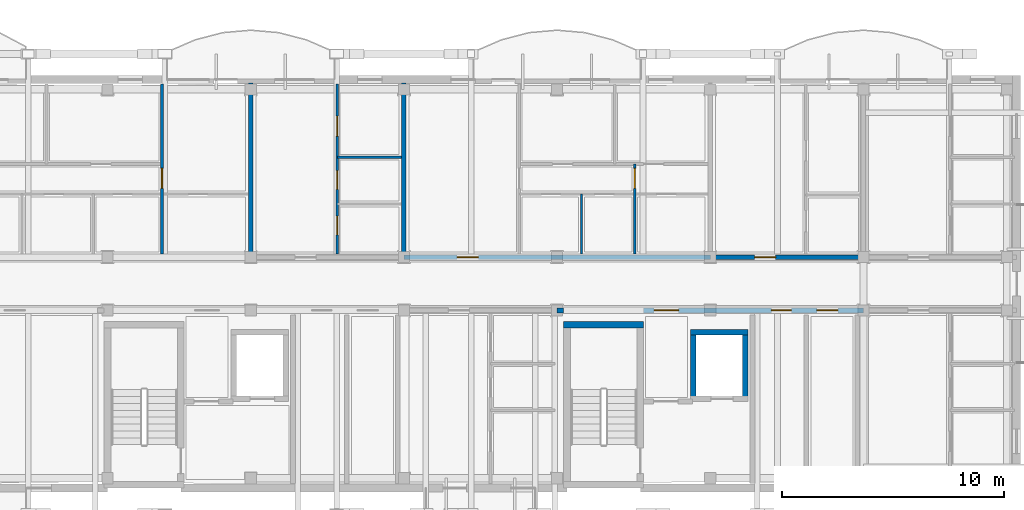
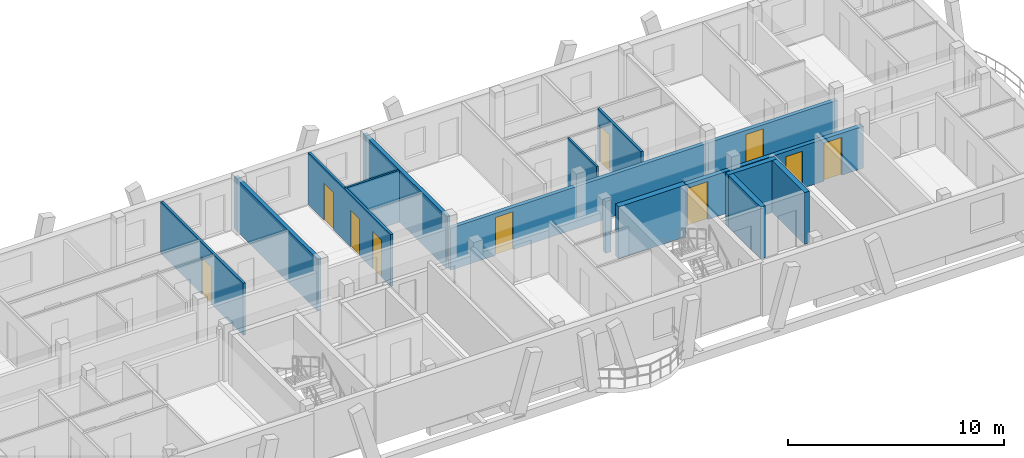
# One storey, part 83 of 109: 15 walls, 10 doors, 10 openings.
"""IFC4 building model written with IfcOpenShell, lengths in metres."""

from ifc_helpers import new_model, si_unit, direction, frame, frame_2d, origin, origin_with_axes, place, context, subcontext, project, spatial, rectangle, extrude, material, layer, layer_set, type_object, element, fill, save


model = new_model("IFC4")

# Units and contexts
model_context = context("Model", 3, precision=1e-05, world=origin(), true_north=direction((0.0, 1.0)))
body_context = subcontext(model_context, "Body", "Model", "MODEL_VIEW")
ifc_project = project(units=[si_unit("LENGTHUNIT", "METRE"), si_unit("AREAUNIT", "SQUARE_METRE"), si_unit("VOLUMEUNIT", "CUBIC_METRE"), si_unit("PLANEANGLEUNIT", "RADIAN"), si_unit("MASSUNIT", "GRAM", prefix="KILO")], contexts=[model_context])

# Site, building, storey
site_placement = place(None, origin())
site = spatial("IfcSite", under=ifc_project, at=site_placement, CompositionType="ELEMENT")
building_placement = place(site_placement, origin())
building = spatial("IfcBuilding", under=site, at=building_placement, Name="Zavelmont Quarter", CompositionType="ELEMENT")
storey_placement = place(building_placement, frame((0.0, 0.0, 8.0)))
storey = spatial("IfcBuildingStorey", under=building, at=storey_placement, Name="L02", CompositionType="ELEMENT", Elevation=8.0)

# Walls
ifc_material_1 = material(Name="Calcium-silicate blockwork and acoustic plaster", Category="masonry")
ifc_layer_1 = layer(ifc_material_1, 0.199951171875)
ifc_layer_set_1 = layer_set([ifc_layer_1], Name="Calcium-silicate blockwork and acoustic plaster")
wall_type_1 = type_object("IfcWallType", Name="IW01", PredefinedType="PARTITIONING", material=ifc_layer_set_1)
for number, where, z_axis, x_axis, name in (
    (1, (133.5, 108.14990234375, 0.0), (0.0, 0.0, 1.0), (0.0, 1.0, 0.0), "L02 Inter-dwelling compartment wall IW01"),
    (2, (140.39990234375, 108.14990234375, 0.0), (0.0, 0.0, 1.0), (0.0, 1.0, 0.0), "L02 Inter-dwelling compartment wall IW01"),
):
    element("IfcWall", number, at=place(storey_placement, frame(where, z_axis=z_axis, x_axis=x_axis)), inside=storey, type_object=wall_type_1, Name=name, PredefinedType="PARTITIONING", context=body_context, shape_type="SweptSolid", body=[
        extrude(rectangle(XDim=7.7001953125, YDim=0.199951171875, at=frame_2d((3.85009765625, 0.0))), origin(), (0.0, 0.0, 1.0), 2.93994140625),
    ])

# Wall, opening, door
wall_1_placement = place(storey_placement, frame((140.39990234375, 108.0, 0.0), z_axis=(0.0, 0.0, 1.0), x_axis=(1.0, 0.0, 0.0)))
wall_1 = element("IfcWall", 3, at=wall_1_placement, inside=storey, type_object=wall_type_1, Name="L02 Corridor compartment wall IW01", PredefinedType="PARTITIONING", context=body_context, shape_type="SweptSolid", body=[
    extrude(rectangle(XDim=13.800048828125, YDim=0.199951171875, at=frame_2d((6.89990234375, 0.0))), origin(), (0.0, 0.0, 1.0), 2.3798828125),
])
opening_1_placement = place(wall_1_placement, frame((2.39990234375, 0.0, 0.0)))
opening_1 = element("IfcOpeningElement", 4, at=opening_1_placement, cuts=wall_1, Name="Opening DR02", PredefinedType="OPENING", context=body_context, shape_type="SweptSolid", body=[
    extrude(rectangle(XDim=0.949951171875, YDim=2.14990234375, at=frame_2d((0.47509765625, 1.074951171875))), frame((0.0, 0.11181640625, 0.0), z_axis=(0.0, -1.0, 0.0), x_axis=(1.0, 0.0, 0.0)), (0.0, 0.0, 1.0), 0.223876953125),
])
ifc_material_2 = material(Name="Solid-core oak fire leaf in steel frame", Category="steel")
door_type_1 = type_object("IfcDoorType", Name="DR02", OperationType="NOTDEFINED", PredefinedType="DOOR", material=ifc_material_2)
door_1_placement = place(opening_1_placement, origin_with_axes())
door_1 = element("IfcDoor", 5, at=door_1_placement, inside=storey, type_object=door_type_1, Name="L02 door DR02", OperationType="SINGLE_SWING_RIGHT", OverallHeight=2.14990234375, OverallWidth=0.949951171875, PredefinedType="DOOR", context=body_context, shape_type="SweptSolid", body=[
    extrude(rectangle(XDim=0.949951171875, YDim=2.14990234375, at=frame_2d((0.47509765625, 1.074951171875))), frame((0.0, 0.02490234375, 0.0), z_axis=(0.0, -1.0, 0.0), x_axis=(1.0, 0.0, 0.0)), (0.0, 0.0, 1.0), 0.050048828125),
])
fill(opening_1, door_1)

wall_2_placement = place(storey_placement, frame((154.199951171875, 108.0, 0.0), z_axis=(0.0, 0.0, 1.0), x_axis=(1.0, 0.0, 0.0)))
wall_2 = element("IfcWall", 6, at=wall_2_placement, inside=storey, type_object=wall_type_1, Name="L02 Corridor compartment wall IW01", PredefinedType="PARTITIONING", context=body_context, shape_type="SweptSolid", body=[
    extrude(rectangle(XDim=6.900146484375, YDim=0.199951171875, at=frame_2d((3.4501953125, 0.0))), origin(), (0.0, 0.0, 1.0), 2.3798828125),
])
opening_2_placement = place(wall_2_placement, frame((2.0, 0.0, 0.0)))
opening_2 = element("IfcOpeningElement", 7, at=opening_2_placement, cuts=wall_2, Name="Opening DR02", PredefinedType="OPENING", context=body_context, shape_type="SweptSolid", body=[
    extrude(rectangle(XDim=0.949951171875, YDim=2.14990234375, at=frame_2d((0.47509765625, 1.074951171875))), frame((0.0, 0.11181640625, 0.0), z_axis=(0.0, -1.0, 0.0), x_axis=(1.0, 0.0, 0.0)), (0.0, 0.0, 1.0), 0.223876953125),
])
door_2_placement = place(opening_2_placement, origin_with_axes())
door_2 = element("IfcDoor", 8, at=door_2_placement, inside=storey, type_object=door_type_1, Name="L02 door DR02", OperationType="SINGLE_SWING_LEFT", OverallHeight=2.14990234375, OverallWidth=0.949951171875, PredefinedType="DOOR", context=body_context, shape_type="SweptSolid", body=[
    extrude(rectangle(XDim=0.949951171875, YDim=2.14990234375, at=frame_2d((0.47509765625, 1.074951171875))), frame((0.0, 0.02490234375, 0.0), z_axis=(0.0, -1.0, 0.0), x_axis=(1.0, 0.0, 0.0)), (0.0, 0.0, 1.0), 0.050048828125),
])
fill(opening_2, door_2)

# Wall
ifc_material_3 = material(Name="Reinforced masonry fire compartment wall", Category="masonry")
ifc_layer_2 = layer(ifc_material_3, 0.22509765625)
ifc_layer_set_2 = layer_set([ifc_layer_2], Name="Reinforced masonry fire compartment wall")
wall_type_2 = type_object("IfcWallType", Name="IW02", PredefinedType="PARTITIONING", material=ifc_layer_set_2)
wall_3_placement = place(storey_placement, frame((147.300048828125, 105.60009765625, 0.0), z_axis=(0.0, 0.0, 1.0), x_axis=(1.0, 0.0, 0.0)))
element("IfcWall", 9, at=wall_3_placement, inside=storey, type_object=wall_type_2, Name="L02 Core corridor wall IW02", PredefinedType="PARTITIONING", context=body_context, shape_type="SweptSolid", body=[
    extrude(rectangle(XDim=0.300048828125, YDim=0.22509765625, at=frame_2d((0.14990234375, 0.0))), origin(), (0.0, 0.0, 1.0), 2.93994140625),
])

# Wall, openings, doors
wall_4_placement = place(storey_placement, frame((151.199951171875, 105.60009765625, 0.0), z_axis=(0.0, 0.0, 1.0), x_axis=(1.0, 0.0, 0.0)))
wall_4 = element("IfcWall", 10, at=wall_4_placement, inside=storey, type_object=wall_type_2, Name="L02 Core corridor fire wall IW02", PredefinedType="PARTITIONING", context=body_context, shape_type="SweptSolid", body=[
    extrude(rectangle(XDim=9.900146484375, YDim=0.22509765625, at=frame_2d((4.9501953125, 0.0))), origin(), (0.0, 0.0, 1.0), 2.3798828125),
])
opening_3_placement = place(wall_4_placement, frame((0.47509765625, 0.0, 0.0)))
opening_3 = element("IfcOpeningElement", 11, at=opening_3_placement, cuts=wall_4, Name="Opening DR10", PredefinedType="OPENING", context=body_context, shape_type="SweptSolid", body=[
    extrude(rectangle(XDim=1.10009765625, YDim=2.14990234375, at=frame_2d((0.550048828125, 1.074951171875))), frame((0.0, 0.12451171875, 0.0), z_axis=(0.0, -1.0, 0.0), x_axis=(1.0, 0.0, 0.0)), (0.0, 0.0, 1.0), 0.2490234375),
])
opening_4_placement = place(wall_4_placement, frame((5.75, 0.0, 0.0)))
opening_4 = element("IfcOpeningElement", 12, at=opening_4_placement, cuts=wall_4, Name="Opening DR11", PredefinedType="OPENING", context=body_context, shape_type="SweptSolid", body=[
    extrude(rectangle(XDim=0.89990234375, YDim=2.10009765625, at=frame_2d((0.449951171875, 1.050048828125))), frame((0.0, 0.12451171875, 0.0), z_axis=(0.0, -1.0, 0.0), x_axis=(1.0, 0.0, 0.0)), (0.0, 0.0, 1.0), 0.2490234375),
])
opening_5_placement = place(wall_4_placement, frame((7.800048828125, 0.0, 0.0)))
opening_5 = element("IfcOpeningElement", 13, at=opening_5_placement, cuts=wall_4, Name="Opening DR02", PredefinedType="OPENING", context=body_context, shape_type="SweptSolid", body=[
    extrude(rectangle(XDim=0.949951171875, YDim=2.14990234375, at=frame_2d((0.47509765625, 1.074951171875))), frame((0.0, 0.12451171875, 0.0), z_axis=(0.0, -1.0, 0.0), x_axis=(1.0, 0.0, 0.0)), (0.0, 0.0, 1.0), 0.2490234375),
])
door_3_placement = place(opening_5_placement, origin_with_axes())
door_3 = element("IfcDoor", 14, at=door_3_placement, inside=storey, type_object=door_type_1, Name="Auxiliary store corridor door", OperationType="SINGLE_SWING_RIGHT", OverallHeight=2.14990234375, OverallWidth=0.949951171875, PredefinedType="DOOR", context=body_context, shape_type="SweptSolid", body=[
    extrude(rectangle(XDim=0.949951171875, YDim=2.14990234375, at=frame_2d((0.47509765625, 1.074951171875))), frame((0.0, 0.02490234375, 0.0), z_axis=(0.0, -1.0, 0.0), x_axis=(1.0, 0.0, 0.0)), (0.0, 0.0, 1.0), 0.050048828125),
])
fill(opening_5, door_3)
ifc_material_4 = material(Name="Painted steel lobby fire door", Category="steel")
door_type_2 = type_object("IfcDoorType", Name="DR10", OperationType="NOTDEFINED", PredefinedType="DOOR", material=ifc_material_4)
door_4_placement = place(opening_3_placement, frame((1.10009765625, 0.0, 0.0), z_axis=(0.0, 0.0, 1.0), x_axis=(-1.0, 0.0, 0.0)))
door_4 = element("IfcDoor", 15, at=door_4_placement, inside=storey, type_object=door_type_2, Name="Core vestibule fire door", OperationType="SINGLE_SWING_RIGHT", OverallHeight=2.14990234375, OverallWidth=1.10009765625, PredefinedType="DOOR", context=body_context, shape_type="SweptSolid", body=[
    extrude(rectangle(XDim=1.10009765625, YDim=2.14990234375, at=frame_2d((0.550048828125, 1.074951171875))), frame((0.0, 0.02490234375, 0.0), z_axis=(0.0, -1.0, 0.0), x_axis=(1.0, 0.0, 0.0)), (0.0, 0.0, 1.0), 0.050048828125),
])
fill(opening_3, door_4)
ifc_material_5 = material(Name="Painted steel service-riser fire door", Category="steel")
door_type_3 = type_object("IfcDoorType", Name="DR11", OperationType="NOTDEFINED", PredefinedType="DOOR", material=ifc_material_5)
door_5_placement = place(opening_4_placement, origin_with_axes())
door_5 = element("IfcDoor", 16, at=door_5_placement, inside=storey, type_object=door_type_3, Name="Service riser fire door", OperationType="SINGLE_SWING_LEFT", OverallHeight=2.10009765625, OverallWidth=0.89990234375, PredefinedType="DOOR", context=body_context, shape_type="SweptSolid", body=[
    extrude(rectangle(XDim=0.89990234375, YDim=2.10009765625, at=frame_2d((0.449951171875, 1.050048828125))), frame((0.0, 0.02490234375, 0.0), z_axis=(0.0, -1.0, 0.0), x_axis=(1.0, 0.0, 0.0)), (0.0, 0.0, 1.0), 0.050048828125),
])
fill(opening_4, door_5)

# Wall, opening, door
ifc_material_6 = material(Name="Double gypsum board on acoustic steel stud", Category="steel")
ifc_layer_3 = layer(ifc_material_6, 0.125)
ifc_layer_set_3 = layer_set([ifc_layer_3], Name="Double gypsum board on acoustic steel stud")
wall_type_3 = type_object("IfcWallType", Name="IW03", PredefinedType="PARTITIONING", material=ifc_layer_set_3)
wall_5_placement = place(storey_placement, frame((129.5, 108.14990234375, 0.0), z_axis=(0.0, 0.0, 1.0), x_axis=(0.0, 1.0, 0.0)))
wall_5 = element("IfcWall", 17, at=wall_5_placement, inside=storey, type_object=wall_type_3, Name="L02 Partition IW03", PredefinedType="PARTITIONING", context=body_context, shape_type="SweptSolid", body=[
    extrude(rectangle(XDim=7.650146484375, YDim=0.125, at=frame_2d((3.8251953125, 0.0))), origin(), (0.0, 0.0, 1.0), 2.93994140625),
])
opening_6_placement = place(wall_5_placement, frame((2.949951171875, 0.0, 0.0)))
opening_6 = element("IfcOpeningElement", 18, at=opening_6_placement, cuts=wall_5, Name="Opening DR05", PredefinedType="OPENING", context=body_context, shape_type="SweptSolid", body=[
    extrude(rectangle(XDim=0.89990234375, YDim=2.10009765625, at=frame_2d((0.449951171875, 1.050048828125))), frame((0.0, 0.074462890625, 0.0), z_axis=(0.0, -1.0, 0.0), x_axis=(1.0, 0.0, 0.0)), (0.0, 0.0, 1.0), 0.14892578125),
])
ifc_material_7 = material(Name="Engineered oak flush interior door")
door_type_4 = type_object("IfcDoorType", Name="DR05", OperationType="NOTDEFINED", PredefinedType="DOOR", material=ifc_material_7)
door_6_placement = place(opening_6_placement, frame((0.89990234375, 0.0, 0.0), z_axis=(0.0, 0.0, 1.0), x_axis=(-1.0, 0.0, 0.0)))
door_6 = element("IfcDoor", 19, at=door_6_placement, inside=storey, type_object=door_type_4, Name="L02 door DR05", OperationType="SINGLE_SWING_RIGHT", OverallHeight=2.10009765625, OverallWidth=0.89990234375, PredefinedType="DOOR", context=body_context, shape_type="SweptSolid", body=[
    extrude(rectangle(XDim=0.89990234375, YDim=2.10009765625, at=frame_2d((0.449951171875, 1.050048828125))), frame((0.0, 0.02490234375, 0.0), z_axis=(0.0, -1.0, 0.0), x_axis=(1.0, 0.0, 0.0)), (0.0, 0.0, 1.0), 0.050048828125),
])
fill(opening_6, door_6)

# Wall, openings, doors
wall_6_placement = place(storey_placement, frame((137.39990234375, 108.14990234375, 0.0), z_axis=(0.0, 0.0, 1.0), x_axis=(0.0, 1.0, 0.0)))
wall_6 = element("IfcWall", 20, at=wall_6_placement, inside=storey, type_object=wall_type_3, Name="L02 Partition IW03", PredefinedType="PARTITIONING", context=body_context, shape_type="SweptSolid", body=[
    extrude(rectangle(XDim=7.650146484375, YDim=0.125, at=frame_2d((3.8251953125, 0.0))), origin(), (0.0, 0.0, 1.0), 2.93994140625),
])
opening_7_placement = place(wall_6_placement, frame((0.85009765625, 0.0, 0.0)))
opening_7 = element("IfcOpeningElement", 21, at=opening_7_placement, cuts=wall_6, Name="Opening DR16", PredefinedType="OPENING", context=body_context, shape_type="SweptSolid", body=[
    extrude(rectangle(XDim=0.85009765625, YDim=2.10009765625, at=frame_2d((0.425048828125, 1.050048828125))), frame((0.0, 0.074462890625, 0.0), z_axis=(0.0, -1.0, 0.0), x_axis=(1.0, 0.0, 0.0)), (0.0, 0.0, 1.0), 0.14892578125),
])
opening_8_placement = place(wall_6_placement, frame((2.89990234375, 0.0, 0.0)))
opening_8 = element("IfcOpeningElement", 22, at=opening_8_placement, cuts=wall_6, Name="Opening DR06", PredefinedType="OPENING", context=body_context, shape_type="SweptSolid", body=[
    extrude(rectangle(XDim=0.85009765625, YDim=2.050048828125, at=frame_2d((0.425048828125, 1.02490234375))), frame((0.0, 0.074462890625, 0.0), z_axis=(0.0, -1.0, 0.0), x_axis=(1.0, 0.0, 0.0)), (0.0, 0.0, 1.0), 0.14892578125),
])
opening_9_placement = place(wall_6_placement, frame((5.300048828125, 0.0, 0.0)))
opening_9 = element("IfcOpeningElement", 23, at=opening_9_placement, cuts=wall_6, Name="Opening DR05", PredefinedType="OPENING", context=body_context, shape_type="SweptSolid", body=[
    extrude(rectangle(XDim=0.89990234375, YDim=2.10009765625, at=frame_2d((0.449951171875, 1.050048828125))), frame((0.0, 0.074462890625, 0.0), z_axis=(0.0, -1.0, 0.0), x_axis=(1.0, 0.0, 0.0)), (0.0, 0.0, 1.0), 0.14892578125),
])
door_7_placement = place(opening_9_placement, frame((0.89990234375, 0.0, 0.0), z_axis=(0.0, 0.0, 1.0), x_axis=(-1.0, 0.0, 0.0)))
door_7 = element("IfcDoor", 24, at=door_7_placement, inside=storey, type_object=door_type_4, Name="L02 door DR05", OperationType="SINGLE_SWING_LEFT", OverallHeight=2.10009765625, OverallWidth=0.89990234375, PredefinedType="DOOR", context=body_context, shape_type="SweptSolid", body=[
    extrude(rectangle(XDim=0.89990234375, YDim=2.10009765625, at=frame_2d((0.449951171875, 1.050048828125))), frame((0.0, 0.02490234375, 0.0), z_axis=(0.0, -1.0, 0.0), x_axis=(1.0, 0.0, 0.0)), (0.0, 0.0, 1.0), 0.050048828125),
])
fill(opening_9, door_7)
ifc_material_8 = material(Name="Moisture-resistant painted wet-room door")
door_type_5 = type_object("IfcDoorType", Name="DR06", OperationType="NOTDEFINED", PredefinedType="DOOR", material=ifc_material_8)
door_8_placement = place(opening_8_placement, origin_with_axes())
door_8 = element("IfcDoor", 25, at=door_8_placement, inside=storey, type_object=door_type_5, Name="L02 door DR06", OperationType="SINGLE_SWING_RIGHT", OverallHeight=2.050048828125, OverallWidth=0.85009765625, PredefinedType="DOOR", context=body_context, shape_type="SweptSolid", body=[
    extrude(rectangle(XDim=0.85009765625, YDim=2.050048828125, at=frame_2d((0.425048828125, 1.02490234375))), frame((0.0, 0.02490234375, 0.0), z_axis=(0.0, -1.0, 0.0), x_axis=(1.0, 0.0, 0.0)), (0.0, 0.0, 1.0), 0.050048828125),
])
fill(opening_8, door_8)
door_type_6 = type_object("IfcDoorType", Name="DR16", OperationType="NOTDEFINED", PredefinedType="DOOR", material=ifc_material_7)
door_9_placement = place(opening_7_placement, frame((0.85009765625, 0.0, 0.0), z_axis=(0.0, 0.0, 1.0), x_axis=(-1.0, 0.0, 0.0)))
door_9 = element("IfcDoor", 26, at=door_9_placement, inside=storey, type_object=door_type_6, Name="L02 door DR16", OperationType="SINGLE_SWING_LEFT", OverallHeight=2.10009765625, OverallWidth=0.85009765625, PredefinedType="DOOR", context=body_context, shape_type="SweptSolid", body=[
    extrude(rectangle(XDim=0.85009765625, YDim=2.10009765625, at=frame_2d((0.425048828125, 1.050048828125))), frame((0.0, 0.02490234375, 0.0), z_axis=(0.0, -1.0, 0.0), x_axis=(1.0, 0.0, 0.0)), (0.0, 0.0, 1.0), 0.050048828125),
])
fill(opening_7, door_9)

# Wall, opening, door
wall_7_placement = place(storey_placement, frame((150.800048828125, 108.14990234375, 0.0), z_axis=(0.0, 0.0, 1.0), x_axis=(0.0, 1.0, 0.0)))
wall_7 = element("IfcWall", 27, at=wall_7_placement, inside=storey, type_object=wall_type_3, Name="L02 Partition IW03", PredefinedType="PARTITIONING", context=body_context, shape_type="SweptSolid", body=[
    extrude(rectangle(XDim=4.050048828125, YDim=0.125, at=frame_2d((2.02490234375, 0.0))), origin(), (0.0, 0.0, 1.0), 2.93994140625),
])
opening_10_placement = place(wall_7_placement, frame((2.949951171875, 0.0, 0.0)))
opening_10 = element("IfcOpeningElement", 28, at=opening_10_placement, cuts=wall_7, Name="Opening DR05", PredefinedType="OPENING", context=body_context, shape_type="SweptSolid", body=[
    extrude(rectangle(XDim=0.89990234375, YDim=2.10009765625, at=frame_2d((0.449951171875, 1.050048828125))), frame((0.0, 0.074462890625, 0.0), z_axis=(0.0, -1.0, 0.0), x_axis=(1.0, 0.0, 0.0)), (0.0, 0.0, 1.0), 0.14892578125),
])
door_10_placement = place(opening_10_placement, origin_with_axes())
door_10 = element("IfcDoor", 29, at=door_10_placement, inside=storey, type_object=door_type_4, Name="L02 door DR05", OperationType="SINGLE_SWING_LEFT", OverallHeight=2.10009765625, OverallWidth=0.89990234375, PredefinedType="DOOR", context=body_context, shape_type="SweptSolid", body=[
    extrude(rectangle(XDim=0.89990234375, YDim=2.10009765625, at=frame_2d((0.449951171875, 1.050048828125))), frame((0.0, 0.02490234375, 0.0), z_axis=(0.0, -1.0, 0.0), x_axis=(1.0, 0.0, 0.0)), (0.0, 0.0, 1.0), 0.050048828125),
])
fill(opening_10, door_10)

# Walls
ifc_material_9 = material(Name="Moisture-resistant gypsum board on steel stud", Category="steel")
ifc_layer_4 = layer(ifc_material_9, 0.10009765625)
ifc_layer_set_4 = layer_set([ifc_layer_4], Name="Moisture-resistant gypsum board on steel stud")
wall_type_4 = type_object("IfcWallType", Name="IW04", PredefinedType="PARTITIONING", material=ifc_layer_set_4)
wall_8_placement = place(storey_placement, frame((137.39990234375, 112.5, 0.0), z_axis=(0.0, 0.0, 1.0), x_axis=(1.0, 0.0, 0.0)))
element("IfcWall", 30, at=wall_8_placement, inside=storey, type_object=wall_type_4, Name="L02 Partition IW04", PredefinedType="PARTITIONING", context=body_context, shape_type="SweptSolid", body=[
    extrude(rectangle(XDim=2.900146484375, YDim=0.10009765625, at=frame_2d((1.4501953125, 0.0))), origin(), (0.0, 0.0, 1.0), 2.93994140625),
])
wall_9_placement = place(storey_placement, frame((148.39990234375, 108.14990234375, 0.0), z_axis=(0.0, 0.0, 1.0), x_axis=(0.0, 1.0, 0.0)))
element("IfcWall", 31, at=wall_9_placement, inside=storey, type_object=wall_type_4, Name="L02 Partition IW04", PredefinedType="PARTITIONING", context=body_context, shape_type="SweptSolid", body=[
    extrude(rectangle(XDim=2.7001953125, YDim=0.10009765625, at=frame_2d((1.35009765625, 0.0))), origin(), (0.0, 0.0, 1.0), 2.93994140625),
])
ifc_material_10 = material(Name="Concrete C40/50", Category="concrete")
ifc_layer_5 = layer(ifc_material_10, 0.300048828125)
ifc_layer_set_5 = layer_set([ifc_layer_5], Name="Concrete C40/50")
wall_type_5 = type_object("IfcWallType", Name="SW01", PredefinedType="SHEAR", material=ifc_layer_set_5)
wall_10_placement = place(storey_placement, frame((147.60009765625, 104.949951171875, 0.0), z_axis=(0.0, 0.0, 1.0), x_axis=(1.0, 0.0, 0.0)))
element("IfcWall", 32, at=wall_10_placement, inside=storey, type_object=wall_type_5, Name="L02 ST06 corridor shear wall SW01", PredefinedType="SHEAR", context=body_context, shape_type="SweptSolid", body=[
    extrude(rectangle(XDim=3.599853515625, YDim=0.300048828125, at=frame_2d((1.7998046875, 0.0))), origin(), (0.0, 0.0, 1.0), 2.93994140625),
])
ifc_layer_6 = layer(ifc_material_10, 0.25)
ifc_layer_set_6 = layer_set([ifc_layer_6], Name="Concrete C40/50")
wall_type_6 = type_object("IfcWallType", Name="SW02", PredefinedType="SHEAR", material=ifc_layer_set_6)
wall_11_placement = place(storey_placement, frame((153.300048828125, 104.625, 0.0), z_axis=(0.0, 0.0, 1.0), x_axis=(1.0, 0.0, 0.0)))
element("IfcWall", 33, at=wall_11_placement, inside=storey, type_object=wall_type_6, Name="L02 Lift LF06 back shaft wall SW02", PredefinedType="SHEAR", context=body_context, shape_type="SweptSolid", body=[
    extrude(rectangle(XDim=2.599853515625, YDim=0.25, at=frame_2d((1.2998046875, 0.0))), origin(), (0.0, 0.0, 1.0), 2.93994140625),
])
for number, where, z_axis, x_axis, name in (
    (34, (153.425048828125, 101.5, 0.0), (0.0, 0.0, 1.0), (0.0, 1.0, 0.0), "L02 Lift LF06 west shaft wall SW02"),
    (35, (155.77490234375, 101.5, 0.0), (0.0, 0.0, 1.0), (0.0, 1.0, 0.0), "L02 Lift LF06 east shaft wall SW02"),
):
    element("IfcWall", number, at=place(storey_placement, frame(where, z_axis=z_axis, x_axis=x_axis)), inside=storey, type_object=wall_type_6, Name=name, PredefinedType="SHEAR", context=body_context, shape_type="SweptSolid", body=[
        extrude(rectangle(XDim=3.25, YDim=0.25, at=frame_2d((1.625, 0.0))), origin(), (0.0, 0.0, 1.0), 2.93994140625),
    ])

save(model, "model.ifc")
